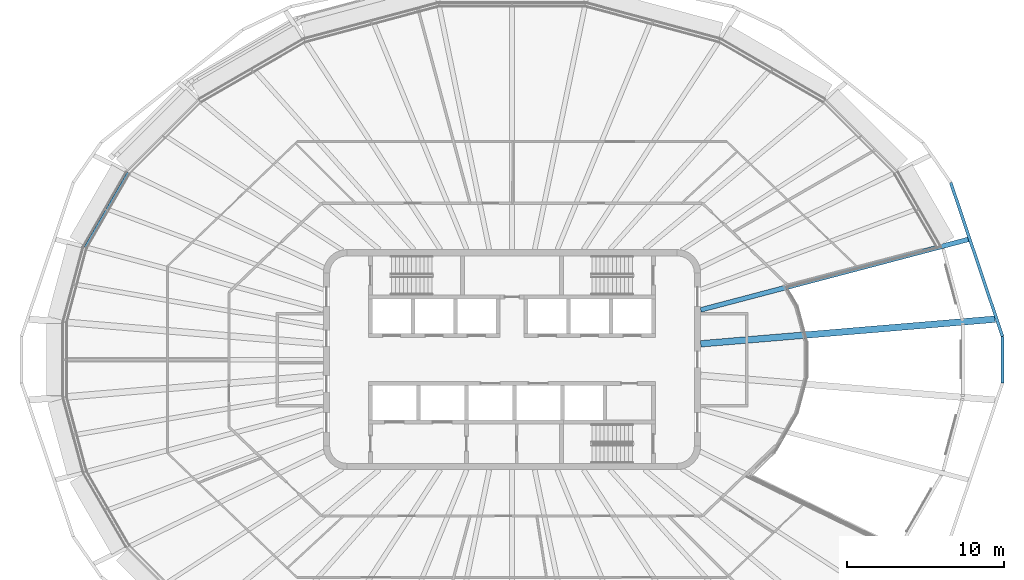
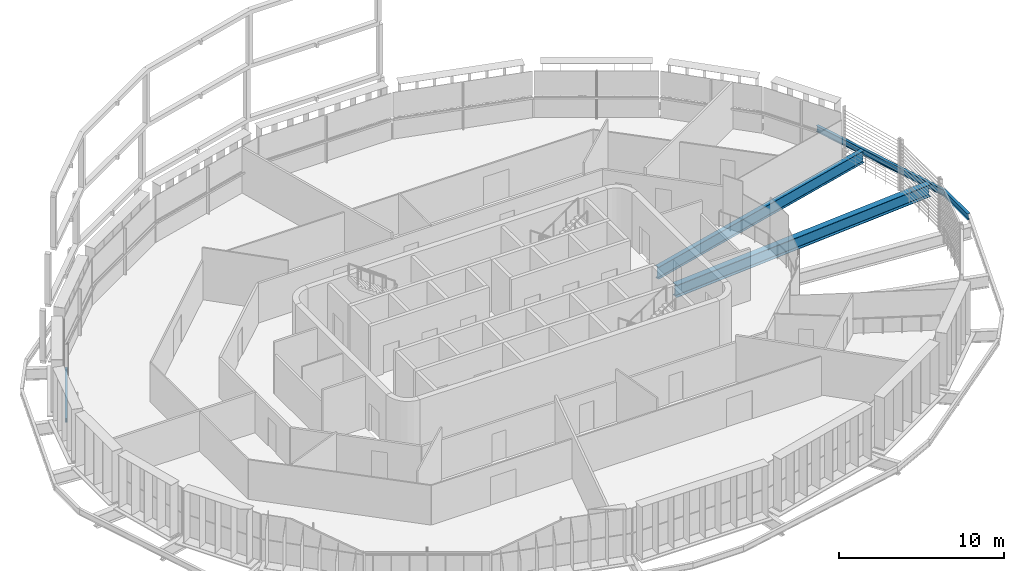
# One storey, part 4 of 19: 5 beams.
"""IFC4 building model written with IfcOpenShell, lengths in metres."""

from ifc_helpers import new_model, si_unit, direction, frame, origin, origin_2d, place, context, subcontext, project, spatial, i_section, extrude, material, material_profile, profile_set, type_object, element, save


model = new_model("IFC4")

# Units and contexts
model_context = context("Model", 3, precision=1e-05, world=origin(), true_north=direction((0.0, 1.0)))
body_context = subcontext(model_context, "Body", "Model", "MODEL_VIEW")
ifc_project = project(units=[si_unit("LENGTHUNIT", "METRE"), si_unit("AREAUNIT", "SQUARE_METRE"), si_unit("VOLUMEUNIT", "CUBIC_METRE"), si_unit("PLANEANGLEUNIT", "RADIAN"), si_unit("MASSUNIT", "GRAM", prefix="KILO")], contexts=[model_context])

# Site, building, storey
site_placement = place(None, origin())
site = spatial("IfcSite", under=ifc_project, at=site_placement, CompositionType="ELEMENT")
building_placement = place(site_placement, origin())
building = spatial("IfcBuilding", under=site, at=building_placement, Name="Sahrelin Media Tower", CompositionType="ELEMENT")
storey_placement = place(building_placement, frame((0.0, 0.0, 287.0)))
storey = spatial("IfcBuildingStorey", under=building, at=storey_placement, Name="L63", CompositionType="ELEMENT", Elevation=287.0)

# Beams
ifc_material = material(Name="Steel S355", Category="steel")
ifc_material_profile_1 = material_profile(ifc_material, i_section(OverallWidth=0.1650390625, OverallDepth=0.303466796875, WebThickness=0.006103515625, FlangeThickness=0.01025390625, FilletRadius=0.0087890625, at=origin_2d()), Name="UB 305x165x40")
ifc_profile_set_1 = profile_set([ifc_material_profile_1], Name="Steel S355")
beam_type_1 = type_object("IfcBeamType", Name="Edge beam EB2", PredefinedType="BEAM", material=ifc_profile_set_1)
beam_1_placement = place(storey_placement, frame((-27.135498046875, 7.141845703125, -0.3017578125), z_axis=(0.500030911274, 0.866007556416, 0.0), x_axis=(-0.866007556416, 0.500030911274, 0.0)))
element("IfcBeam", 1, at=beam_1_placement, inside=storey, type_object=beam_type_1, Name="Edge beam L63-12", PredefinedType="BEAM", context=body_context, shape_type="SweptSolid", body=[
    extrude(i_section(OverallWidth=0.1650390625, OverallDepth=0.303466796875, WebThickness=0.006103515625, FlangeThickness=0.01025390625, FilletRadius=0.0087890625, at=origin_2d()), origin(), (0.0, 0.0, 1.0), 5.458251953125),
])
ifc_material_profile_2 = material_profile(ifc_material, i_section(OverallWidth=0.30322265625, OverallDepth=0.903076171875, WebThickness=0.01513671875, FlangeThickness=0.020263671875, FilletRadius=0.01904296875, at=origin_2d()), Name="UB 914x305x201")
ifc_profile_set_2 = profile_set([ifc_material_profile_2], Name="Steel S355")
beam_type_2 = type_object("IfcBeamType", Name="Radial primary beam PB11", PredefinedType="BEAM", material=ifc_profile_set_2)
beam_2_placement = place(storey_placement, frame((12.0, 3.1611328125, -0.6015625), z_axis=(0.96700710419, 0.254749407156, 0.0), x_axis=(-0.254749407156, 0.96700710419, 0.0)))
element("IfcBeam", 2, at=beam_2_placement, inside=storey, type_object=beam_type_2, Name="Radial beam L63-02", PredefinedType="BEAM", context=body_context, shape_type="SweptSolid", body=[
    extrude(i_section(OverallWidth=0.30322265625, OverallDepth=0.903076171875, WebThickness=0.01513671875, FlangeThickness=0.020263671875, FilletRadius=0.01904296875, at=origin_2d()), origin(), (0.0, 0.0, 1.0), 17.595458984375),
])
ifc_material_profile_3 = material_profile(ifc_material, i_section(OverallWidth=0.41845703125, OverallDepth=0.911865234375, WebThickness=0.019287109375, FlangeThickness=0.031982421875, FilletRadius=0.024169921875, at=origin_2d()), Name="UB 914x419x343")
ifc_profile_set_3 = profile_set([ifc_material_profile_3], Name="Steel S355")
beam_type_3 = type_object("IfcBeamType", Name="Radial primary beam PB12", PredefinedType="BEAM", material=ifc_profile_set_3)
beam_3_placement = place(storey_placement, frame((12.0, 1.00439453125, -0.60595703125), z_axis=(0.996514859862, 0.083415430669, 0.0), x_axis=(-0.083415430669, 0.996514859862, 0.0)))
element("IfcBeam", 3, at=beam_3_placement, inside=storey, type_object=beam_type_3, Name="Radial beam L63-01", PredefinedType="BEAM", context=body_context, shape_type="SweptSolid", body=[
    extrude(i_section(OverallWidth=0.41845703125, OverallDepth=0.911865234375, WebThickness=0.019287109375, FlangeThickness=0.031982421875, FilletRadius=0.024169921875, at=origin_2d()), origin(), (0.0, 0.0, 1.0), 18.787109375),
])
ifc_material_profile_4 = material_profile(ifc_material, i_section(OverallWidth=0.1904296875, OverallDepth=0.45703125, WebThickness=0.009033203125, FlangeThickness=0.014404296875, FilletRadius=0.01025390625, at=origin_2d()), Name="UB 457x191x74")
ifc_profile_set_4 = profile_set([ifc_material_profile_4], Name="Steel S355")
beam_type_4 = type_object("IfcBeamType", Name="Tie chord TC5", PredefinedType="BEAM", material=ifc_profile_set_4)
beam_4_placement = place(storey_placement, frame((31.19140625, 1.47412109375, -0.37841796875), z_axis=(-0.318929959772, 0.947778286711, 0.0), x_axis=(-0.947778286711, -0.318929959772, 0.0)))
element("IfcBeam", 4, at=beam_4_placement, inside=storey, type_object=beam_type_4, Name="Tie chord L63-01", PredefinedType="BEAM", context=body_context, shape_type="SweptSolid", body=[
    extrude(i_section(OverallWidth=0.1904296875, OverallDepth=0.45703125, WebThickness=0.009033203125, FlangeThickness=0.014404296875, FilletRadius=0.01025390625, at=origin_2d()), origin(), (0.0, 0.0, 1.0), 10.322021484375),
])
beam_5_placement = place(storey_placement, frame((31.19140625, -1.47412109375, -0.37841796875), z_axis=(0.0, 1.0, 0.0), x_axis=(-1.0, 0.0, 0.0)))
element("IfcBeam", 5, at=beam_5_placement, inside=storey, type_object=beam_type_4, Name="Tie chord L63-24", PredefinedType="BEAM", context=body_context, shape_type="SweptSolid", body=[
    extrude(i_section(OverallWidth=0.1904296875, OverallDepth=0.45703125, WebThickness=0.009033203125, FlangeThickness=0.014404296875, FilletRadius=0.01025390625, at=origin_2d()), origin(), (0.0, 0.0, 1.0), 2.9482421875),
])

save(model, "model.ifc")
